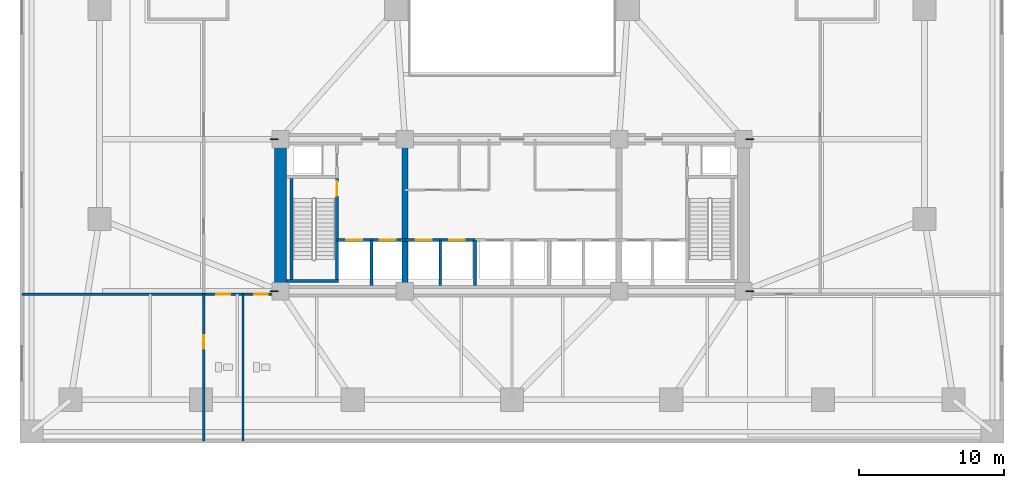
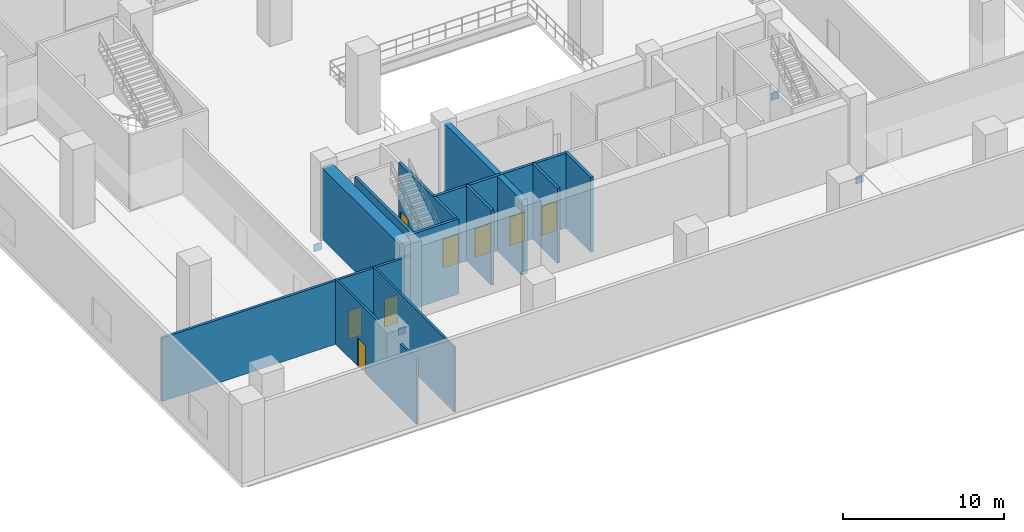
# One storey, part 6 of 16: 13 walls, 8 doors, 4 plates, 8 openings.
"""IFC4 building model written with IfcOpenShell, lengths in metres."""

from ifc_helpers import new_model, si_unit, direction, frame, frame_2d, origin, origin_2d, place, context, subcontext, project, spatial, rectangle, extrude, material, layer, layer_set, type_object, element, fill, save


model = new_model("IFC4")

# Units and contexts
model_context = context("Model", 3, precision=1e-05, world=origin(), true_north=direction((0.0, 1.0)))
body_context = subcontext(model_context, "Body", "Model", "MODEL_VIEW")
ifc_project = project(units=[si_unit("LENGTHUNIT", "METRE"), si_unit("AREAUNIT", "SQUARE_METRE"), si_unit("VOLUMEUNIT", "CUBIC_METRE"), si_unit("PLANEANGLEUNIT", "RADIAN"), si_unit("MASSUNIT", "GRAM", prefix="KILO")], contexts=[model_context])

# Site, building, storey
site_placement = place(None, origin())
site = spatial("IfcSite", under=ifc_project, at=site_placement, CompositionType="ELEMENT")
building_placement = place(site_placement, origin())
building = spatial("IfcBuilding", under=site, at=building_placement, Name="Solmavex Isthmus Hotel", CompositionType="ELEMENT")
storey_placement = place(building_placement, frame((0.0, 0.0, 5.39990234375)))
storey = spatial("IfcBuildingStorey", under=building, at=storey_placement, Name="L02", CompositionType="ELEMENT", Elevation=5.39990234375)

# Plates
ifc_material_1 = material(Name="Steel ASTM A572 Grade 50", Category="steel")
ifc_layer_1 = layer(ifc_material_1, 0.06005859375)
ifc_layer_set_1 = layer_set([ifc_layer_1], Name="Steel ASTM A572 Grade 50")
plate_type = type_object("IfcPlateType", Name="PLT-EMBED-60", PredefinedType="USERDEFINED", material=ifc_layer_set_1)
for number, where, z_axis, x_axis, name in (
    (1, (-16.43603515625, -2.5, -1.15478515625), (0.0, 0.0, 1.0), (1.0, 0.0, 0.0), "Outrigger Strut Core Cast-In Embedment Stiffener Plate 007"),
    (2, (16.43603515625, -2.5, -1.15478515625), (0.0, 0.0, 1.0), (1.0, 0.0, 0.0), "Outrigger Strut Core Cast-In Embedment Stiffener Plate 008"),
    (3, (-16.43603515625, -13.0, -1.15478515625), (0.0, 0.0, 1.0), (1.0, 0.0, 0.0), "Outrigger Strut Core Cast-In Embedment Stiffener Plate 009"),
    (4, (16.43603515625, -13.0, -1.15478515625), (0.0, 0.0, 1.0), (1.0, 0.0, 0.0), "Outrigger Strut Core Cast-In Embedment Stiffener Plate 010"),
):
    element("IfcPlate", number, at=place(storey_placement, frame(where, z_axis=z_axis, x_axis=x_axis)), inside=storey, type_object=plate_type, Name=name, ObjectType="STIFFENER_PLATE", PredefinedType="USERDEFINED", context=body_context, shape_type="SweptSolid", body=[
        extrude(rectangle(XDim=0.550048828125, YDim=0.06005859375, at=origin_2d()), origin(), (0.0, 0.0, 1.0), 0.550048828125),
    ])

# Wall, opening, door
ifc_material_2 = material(Name="Gypsum plasterboard lining", Category="gypsum")
ifc_layer_2 = layer(ifc_material_2, 0.14990234375)
ifc_layer_set_2 = layer_set([ifc_layer_2], Name="Gypsum plasterboard lining")
wall_type_1 = type_object("IfcWallType", Name="IW-CORR-150", PredefinedType="PARTITIONING", material=ifc_layer_set_2)
wall_1_placement = place(storey_placement, frame((-21.300048828125, -23.360107421875, 0.0), z_axis=(0.0, 0.0, 1.0), x_axis=(0.0, 1.0, 0.0)))
wall_1 = element("IfcWall", 5, at=wall_1_placement, inside=storey, type_object=wall_type_1, Name="Interior Partition Wall W-L02-SOUTH-WM", PredefinedType="PARTITIONING", context=body_context, shape_type="SweptSolid", body=[
    extrude(rectangle(XDim=10.16015625, YDim=0.14990234375, at=frame_2d((5.080078125, 0.0))), origin(), (0.0, 0.0, 1.0), 4.911865234375),
])
opening_1_placement = place(wall_1_placement, frame((6.385009765625, 0.0, 0.0)))
opening_1 = element("IfcOpeningElement", 6, at=opening_1_placement, cuts=wall_1, Name="Opening ID-C095", PredefinedType="OPENING", context=body_context, shape_type="SweptSolid", body=[
    extrude(rectangle(XDim=0.949951171875, YDim=2.14990234375, at=frame_2d((0.47509765625, 1.074951171875))), frame((0.0, 0.0849609375, 0.0), z_axis=(0.0, -1.0, 0.0), x_axis=(1.0, 0.0, 0.0)), (0.0, 0.0, 1.0), 0.169921875),
])
ifc_material_3 = material(Name="Hardwood timber", Category="wood")
door_type_1 = type_object("IfcDoorType", Name="IDR-FD60-0950", OperationType="NOTDEFINED", PredefinedType="DOOR", material=ifc_material_3)
door_1_placement = place(opening_1_placement, origin())
door_1 = element("IfcDoor", 7, at=door_1_placement, inside=storey, type_object=door_type_1, Name="Linen Store Door L02", OperationType="SINGLE_SWING_LEFT", OverallHeight=2.14990234375, OverallWidth=0.949951171875, PredefinedType="DOOR", context=body_context, shape_type="SweptSolid", body=[
    extrude(rectangle(XDim=0.949951171875, YDim=2.14990234375, at=frame_2d((0.47509765625, 1.074951171875))), frame((0.0, 0.02490234375, 0.0), z_axis=(0.0, -1.0, 0.0), x_axis=(1.0, 0.0, 0.0)), (0.0, 0.0, 1.0), 0.050048828125),
])
fill(opening_1, door_1)

# Walls
wall_2_placement = place(storey_placement, frame((-18.60009765625, -23.360107421875, 0.0), z_axis=(0.0, 0.0, 1.0), x_axis=(0.0, 1.0, 0.0)))
element("IfcWall", 8, at=wall_2_placement, inside=storey, type_object=wall_type_1, Name="Interior Partition Wall W-L02-SOUTH-WM2", PredefinedType="PARTITIONING", context=body_context, shape_type="SweptSolid", body=[
    extrude(rectangle(XDim=10.16015625, YDim=0.14990234375, at=frame_2d((5.080078125, 0.0))), origin(), (0.0, 0.0, 1.0), 4.911865234375),
])
ifc_material_4 = material(Name="Concrete C40/50", Category="concrete")
ifc_layer_3 = layer(ifc_material_4, 0.179931640625)
ifc_layer_set_3 = layer_set([ifc_layer_3], Name="Concrete C40/50")
wall_type_2 = type_object("IfcWallType", Name="IW-SHAFT-180", PredefinedType="PARTITIONING", material=ifc_layer_set_3)
wall_3_placement = place(storey_placement, frame((-4.949951171875, -12.60009765625, 0.0), z_axis=(0.0, 0.0, 1.0), x_axis=(0.0, 1.0, 0.0)))
element("IfcWall", 9, at=wall_3_placement, inside=storey, type_object=wall_type_2, Name="Interior Partition Wall W-L02-SH-PLL-M", PredefinedType="PARTITIONING", context=body_context, shape_type="SweptSolid", body=[
    extrude(rectangle(XDim=3.150146484375, YDim=0.179931640625, at=frame_2d((1.5751953125, 0.0))), origin(), (0.0, 0.0, 1.0), 5.7001953125),
])

# Wall, openings, doors
wall_4_placement = place(storey_placement, frame((-33.860107421875, -13.199951171875, 0.0), z_axis=(0.0, 0.0, 1.0), x_axis=(1.0, 0.0, 0.0)))
wall_4 = element("IfcWall", 10, at=wall_4_placement, inside=storey, type_object=wall_type_2, Name="Interior Partition Wall W-L02-SOUTH-W", PredefinedType="PARTITIONING", context=body_context, shape_type="SweptSolid", body=[
    extrude(rectangle(XDim=17.860107421875, YDim=0.179931640625, at=frame_2d((8.93017578125, 0.0))), origin(), (0.0, 0.0, 1.0), 4.82958984375),
])
opening_2_placement = place(wall_4_placement, frame((13.43505859375, 0.0, 0.0)))
opening_2 = element("IfcOpeningElement", 11, at=opening_2_placement, cuts=wall_4, Name="Opening ID-C095", PredefinedType="OPENING", context=body_context, shape_type="SweptSolid", body=[
    extrude(rectangle(XDim=0.949951171875, YDim=2.14990234375, at=frame_2d((0.47509765625, 1.074951171875))), frame((0.0, 0.099853515625, 0.0), z_axis=(0.0, -1.0, 0.0), x_axis=(1.0, 0.0, 0.0)), (0.0, 0.0, 1.0), 0.199951171875),
])
opening_3_placement = place(wall_4_placement, frame((16.034912109375, 0.0, 0.0)))
opening_3 = element("IfcOpeningElement", 12, at=opening_3_placement, cuts=wall_4, Name="Opening ID-C095", PredefinedType="OPENING", context=body_context, shape_type="SweptSolid", body=[
    extrude(rectangle(XDim=0.949951171875, YDim=2.14990234375, at=frame_2d((0.47509765625, 1.074951171875))), frame((0.0, 0.099853515625, 0.0), z_axis=(0.0, -1.0, 0.0), x_axis=(1.0, 0.0, 0.0)), (0.0, 0.0, 1.0), 0.199951171875),
])
door_2_placement = place(opening_2_placement, frame((0.949951171875, 0.0, 0.0), z_axis=(0.0, 0.0, 1.0), x_axis=(-1.0, 0.0, 0.0)))
door_2 = element("IfcDoor", 13, at=door_2_placement, inside=storey, type_object=door_type_1, Name="Restroom Door L02", OperationType="SINGLE_SWING_LEFT", OverallHeight=2.14990234375, OverallWidth=0.949951171875, PredefinedType="DOOR", context=body_context, shape_type="SweptSolid", body=[
    extrude(rectangle(XDim=0.949951171875, YDim=2.14990234375, at=frame_2d((0.47509765625, 1.074951171875))), frame((0.0, 0.02490234375, 0.0), z_axis=(0.0, -1.0, 0.0), x_axis=(1.0, 0.0, 0.0)), (0.0, 0.0, 1.0), 0.050048828125),
])
fill(opening_2, door_2)
door_3_placement = place(opening_3_placement, frame((0.949951171875, 0.0, 0.0), z_axis=(0.0, 0.0, 1.0), x_axis=(-1.0, 0.0, 0.0)))
door_3 = element("IfcDoor", 14, at=door_3_placement, inside=storey, type_object=door_type_1, Name="Accessible WC Door L02", OperationType="SINGLE_SWING_RIGHT", OverallHeight=2.14990234375, OverallWidth=0.949951171875, PredefinedType="DOOR", context=body_context, shape_type="SweptSolid", body=[
    extrude(rectangle(XDim=0.949951171875, YDim=2.14990234375, at=frame_2d((0.47509765625, 1.074951171875))), frame((0.0, 0.02490234375, 0.0), z_axis=(0.0, -1.0, 0.0), x_axis=(1.0, 0.0, 0.0)), (0.0, 0.0, 1.0), 0.050048828125),
])
fill(opening_3, door_3)

ifc_layer_4 = layer(ifc_material_4, 0.199951171875)
ifc_layer_set_4 = layer_set([ifc_layer_4], Name="Concrete C40/50")
wall_type_3 = type_object("IfcWallType", Name="IW-SHAFT-200", PredefinedType="PARTITIONING", material=ifc_layer_set_4)
wall_5_placement = place(storey_placement, frame((-12.10009765625, -9.449951171875, 0.0), z_axis=(0.0, 0.0, 1.0), x_axis=(1.0, 0.0, 0.0)))
wall_5 = element("IfcWall", 15, at=wall_5_placement, inside=storey, type_object=wall_type_3, Name="Interior Partition Wall W-L02-FFLW-S", PredefinedType="PARTITIONING", context=body_context, shape_type="SweptSolid", body=[
    extrude(rectangle(XDim=4.7001953125, YDim=0.199951171875, at=frame_2d((2.35009765625, 0.0))), origin(), (0.0, 0.0, 1.0), 5.7001953125),
])
opening_4_placement = place(wall_5_placement, frame((0.64990234375, 0.0, 0.0)))
opening_4 = element("IfcOpeningElement", 16, at=opening_4_placement, cuts=wall_5, Name="Opening LD-FF", PredefinedType="OPENING", context=body_context, shape_type="SweptSolid", body=[
    extrude(rectangle(XDim=1.10009765625, YDim=2.199951171875, at=frame_2d((0.550048828125, 1.10009765625))), frame((0.0, 0.10986328125, 0.0), z_axis=(0.0, -1.0, 0.0), x_axis=(1.0, 0.0, 0.0)), (0.0, 0.0, 1.0), 0.219970703125),
])
opening_5_placement = place(wall_5_placement, frame((2.949951171875, 0.0, 0.0)))
opening_5 = element("IfcOpeningElement", 17, at=opening_5_placement, cuts=wall_5, Name="Opening LD-SV", PredefinedType="OPENING", context=body_context, shape_type="SweptSolid", body=[
    extrude(rectangle(XDim=1.10009765625, YDim=2.199951171875, at=frame_2d((0.550048828125, 1.10009765625))), frame((0.0, 0.10986328125, 0.0), z_axis=(0.0, -1.0, 0.0), x_axis=(1.0, 0.0, 0.0)), (0.0, 0.0, 1.0), 0.219970703125),
])
ifc_material_5 = material(Name="Stainless steel 316", Category="steel")
door_type_2 = type_object("IfcDoorType", Name="LDR-FF-1100", OperationType="NOTDEFINED", PredefinedType="DOOR", material=ifc_material_5)
door_4_placement = place(opening_4_placement, origin())
door_4 = element("IfcDoor", 18, at=door_4_placement, inside=storey, type_object=door_type_2, Name="Lift Landing Door FFL-1 L02", OperationType="SLIDING_TO_LEFT", OverallHeight=2.199951171875, OverallWidth=1.10009765625, PredefinedType="DOOR", context=body_context, shape_type="SweptSolid", body=[
    extrude(rectangle(XDim=1.10009765625, YDim=2.199951171875, at=frame_2d((0.550048828125, 1.10009765625))), frame((0.0, 0.02490234375, 0.0), z_axis=(0.0, -1.0, 0.0), x_axis=(1.0, 0.0, 0.0)), (0.0, 0.0, 1.0), 0.050048828125),
])
fill(opening_4, door_4)
door_type_3 = type_object("IfcDoorType", Name="LDR-SV-1100", OperationType="NOTDEFINED", PredefinedType="DOOR", material=ifc_material_5)
door_5_placement = place(opening_5_placement, origin())
door_5 = element("IfcDoor", 19, at=door_5_placement, inside=storey, type_object=door_type_3, Name="Lift Landing Door SVL-1 L02", OperationType="SLIDING_TO_RIGHT", OverallHeight=2.199951171875, OverallWidth=1.10009765625, PredefinedType="DOOR", context=body_context, shape_type="SweptSolid", body=[
    extrude(rectangle(XDim=1.10009765625, YDim=2.199951171875, at=frame_2d((0.550048828125, 1.10009765625))), frame((0.0, 0.02490234375, 0.0), z_axis=(0.0, -1.0, 0.0), x_axis=(1.0, 0.0, 0.0)), (0.0, 0.0, 1.0), 0.050048828125),
])
fill(opening_5, door_5)

# Wall
wall_6_placement = place(storey_placement, frame((-9.699951171875, -12.60009765625, 0.0), z_axis=(0.0, 0.0, 1.0), x_axis=(0.0, 1.0, 0.0)))
element("IfcWall", 20, at=wall_6_placement, inside=storey, type_object=wall_type_3, Name="Interior Partition Wall W-L02-FFLW-M", PredefinedType="PARTITIONING", context=body_context, shape_type="SweptSolid", body=[
    extrude(rectangle(XDim=3.150146484375, YDim=0.199951171875, at=frame_2d((1.5751953125, 0.0))), origin(), (0.0, 0.0, 1.0), 5.7001953125),
])

# Wall, openings, doors
wall_7_placement = place(storey_placement, frame((-7.39990234375, -9.449951171875, 0.0), z_axis=(0.0, 0.0, 1.0), x_axis=(1.0, 0.0, 0.0)))
wall_7 = element("IfcWall", 21, at=wall_7_placement, inside=storey, type_object=wall_type_3, Name="Interior Partition Wall W-L02-SH-PLL", PredefinedType="PARTITIONING", context=body_context, shape_type="SweptSolid", body=[
    extrude(rectangle(XDim=4.849853515625, YDim=0.199951171875, at=frame_2d((2.4248046875, 0.0))), origin(), (0.0, 0.0, 1.0), 5.7001953125),
])
opening_6_placement = place(wall_7_placement, frame((0.75, 0.0, 0.0)))
opening_6 = element("IfcOpeningElement", 22, at=opening_6_placement, cuts=wall_7, Name="Opening LD-PL", PredefinedType="OPENING", context=body_context, shape_type="SweptSolid", body=[
    extrude(rectangle(XDim=1.10009765625, YDim=2.199951171875, at=frame_2d((0.550048828125, 1.10009765625))), frame((0.0, 0.10986328125, 0.0), z_axis=(0.0, -1.0, 0.0), x_axis=(1.0, 0.0, 0.0)), (0.0, 0.0, 1.0), 0.219970703125),
])
opening_7_placement = place(wall_7_placement, frame((3.050048828125, 0.0, 0.0)))
opening_7 = element("IfcOpeningElement", 23, at=opening_7_placement, cuts=wall_7, Name="Opening LD-PL", PredefinedType="OPENING", context=body_context, shape_type="SweptSolid", body=[
    extrude(rectangle(XDim=1.10009765625, YDim=2.199951171875, at=frame_2d((0.550048828125, 1.10009765625))), frame((0.0, 0.10986328125, 0.0), z_axis=(0.0, -1.0, 0.0), x_axis=(1.0, 0.0, 0.0)), (0.0, 0.0, 1.0), 0.219970703125),
])
door_type_4 = type_object("IfcDoorType", Name="LDR-PL-1100", OperationType="NOTDEFINED", PredefinedType="DOOR", material=ifc_material_5)
door_6_placement = place(opening_6_placement, origin())
door_6 = element("IfcDoor", 24, at=door_6_placement, inside=storey, type_object=door_type_4, Name="Lift Landing Door PLL1 L02", OperationType="SLIDING_TO_LEFT", OverallHeight=2.199951171875, OverallWidth=1.10009765625, PredefinedType="DOOR", context=body_context, shape_type="SweptSolid", body=[
    extrude(rectangle(XDim=1.10009765625, YDim=2.199951171875, at=frame_2d((0.550048828125, 1.10009765625))), frame((0.0, 0.02490234375, 0.0), z_axis=(0.0, -1.0, 0.0), x_axis=(1.0, 0.0, 0.0)), (0.0, 0.0, 1.0), 0.050048828125),
])
fill(opening_6, door_6)
door_7_placement = place(opening_7_placement, origin())
door_7 = element("IfcDoor", 25, at=door_7_placement, inside=storey, type_object=door_type_4, Name="Lift Landing Door PLL2 L02", OperationType="SLIDING_TO_LEFT", OverallHeight=2.199951171875, OverallWidth=1.10009765625, PredefinedType="DOOR", context=body_context, shape_type="SweptSolid", body=[
    extrude(rectangle(XDim=1.10009765625, YDim=2.199951171875, at=frame_2d((0.550048828125, 1.10009765625))), frame((0.0, 0.02490234375, 0.0), z_axis=(0.0, -1.0, 0.0), x_axis=(1.0, 0.0, 0.0)), (0.0, 0.0, 1.0), 0.050048828125),
])
fill(opening_7, door_7)

# Walls
wall_8_placement = place(storey_placement, frame((-2.550048828125, -12.60009765625, 0.0), z_axis=(0.0, 0.0, 1.0), x_axis=(0.0, 1.0, 0.0)))
element("IfcWall", 26, at=wall_8_placement, inside=storey, type_object=wall_type_3, Name="Interior Partition Wall W-L02-SH-PLL-E", PredefinedType="PARTITIONING", context=body_context, shape_type="SweptSolid", body=[
    extrude(rectangle(XDim=3.150146484375, YDim=0.199951171875, at=frame_2d((1.5751953125, 0.0))), origin(), (0.0, 0.0, 1.0), 5.7001953125),
])
ifc_material_6 = material(Name="Concrete C70/85", Category="concrete")
ifc_layer_5 = layer(ifc_material_6, 0.39990234375)
ifc_layer_set_5 = layer_set([ifc_layer_5], Name="Concrete C70/85")
wall_type_4 = type_object("IfcWallType", Name="WALL-CW-400L", PredefinedType="SHEAR", material=ifc_layer_set_5)
wall_9_placement = place(storey_placement, frame((-7.39990234375, -12.60009765625, 0.0), z_axis=(0.0, 0.0, 1.0), x_axis=(0.0, 1.0, 0.0)))
element("IfcWall", 27, at=wall_9_placement, inside=storey, type_object=wall_type_4, Name="Core Cross Shear Wall C1 L02", PredefinedType="SHEAR", context=body_context, shape_type="SweptSolid", body=[
    extrude(rectangle(XDim=9.7001953125, YDim=0.39990234375, at=frame_2d((4.85009765625, 0.0))), origin(), (0.0, 0.0, 1.0), 5.7001953125),
])
ifc_layer_6 = layer(ifc_material_6, 0.800048828125)
ifc_layer_set_6 = layer_set([ifc_layer_6], Name="Concrete C70/85")
wall_type_5 = type_object("IfcWallType", Name="WALL-CW-800", PredefinedType="SHEAR", material=ifc_layer_set_6)
wall_10_placement = place(storey_placement, frame((-16.0, -12.60009765625, 0.0), z_axis=(0.0, 0.0, 1.0), x_axis=(0.0, 1.0, 0.0)))
element("IfcWall", 28, at=wall_10_placement, inside=storey, type_object=wall_type_5, Name="Core Shear Wall West L02", PredefinedType="SHEAR", context=body_context, shape_type="SweptSolid", body=[
    extrude(rectangle(XDim=9.7001953125, YDim=0.800048828125, at=frame_2d((4.85009765625, 0.0))), origin(), (0.0, 0.0, 1.0), 5.420166015625),
])
ifc_layer_7 = layer(ifc_material_4, 0.199951171875)
ifc_layer_set_7 = layer_set([ifc_layer_7], Name="Concrete C40/50")
wall_type_6 = type_object("IfcWallType", Name="WALL-SW-200", PredefinedType="SOLIDWALL", material=ifc_layer_set_7)
wall_11_placement = place(storey_placement, frame((-15.60009765625, -12.300048828125, 0.0), z_axis=(0.0, 0.0, 1.0), x_axis=(1.0, 0.0, 0.0)))
element("IfcWall", 29, at=wall_11_placement, inside=storey, type_object=wall_type_6, Name="Stairwell Structural Wall SW-L02-ST1-S", PredefinedType="SOLIDWALL", context=body_context, shape_type="SweptSolid", body=[
    extrude(rectangle(XDim=3.60009765625, YDim=0.199951171875, at=frame_2d((1.800048828125, 0.0))), origin(), (0.0, 0.0, 1.0), 5.7001953125),
])
wall_12_placement = place(storey_placement, frame((-15.25, -12.199951171875, 0.0), z_axis=(0.0, 0.0, 1.0), x_axis=(0.0, 1.0, 0.0)))
element("IfcWall", 30, at=wall_12_placement, inside=storey, type_object=wall_type_6, Name="Stairwell Structural Wall SW-L02-ST1-W", PredefinedType="SOLIDWALL", context=body_context, shape_type="SweptSolid", body=[
    extrude(rectangle(XDim=7.0, YDim=0.199951171875, at=frame_2d((3.5, 0.0))), origin(), (0.0, 0.0, 1.0), 5.7001953125),
])

# Wall, opening, door
wall_13_placement = place(storey_placement, frame((-12.10009765625, -12.199951171875, 0.0), z_axis=(0.0, 0.0, 1.0), x_axis=(0.0, 1.0, 0.0)))
wall_13 = element("IfcWall", 31, at=wall_13_placement, inside=storey, type_object=wall_type_6, Name="Stairwell Structural Wall SW-L02-ST1-E", PredefinedType="SOLIDWALL", context=body_context, shape_type="SweptSolid", body=[
    extrude(rectangle(XDim=7.0, YDim=0.199951171875, at=frame_2d((3.5, 0.0))), origin(), (0.0, 0.0, 1.0), 5.7001953125),
])
opening_8_placement = place(wall_13_placement, frame((5.800048828125, 0.0, 0.0)))
opening_8 = element("IfcOpeningElement", 32, at=opening_8_placement, cuts=wall_13, Name="Opening ID-F100", PredefinedType="OPENING", context=body_context, shape_type="SweptSolid", body=[
    extrude(rectangle(XDim=1.0, YDim=2.10009765625, at=frame_2d((0.5, 1.050048828125))), frame((0.0, 0.10986328125, 0.0), z_axis=(0.0, -1.0, 0.0), x_axis=(1.0, 0.0, 0.0)), (0.0, 0.0, 1.0), 0.219970703125),
])
ifc_material_7 = material(Name="Steel ASTM A500 Grade C", Category="steel")
door_type_5 = type_object("IfcDoorType", Name="IDR-FD90-1000", OperationType="NOTDEFINED", PredefinedType="DOOR", material=ifc_material_7)
door_8_placement = place(opening_8_placement, frame((1.0, 0.0, 0.0), z_axis=(0.0, 0.0, 1.0), x_axis=(-1.0, 0.0, 0.0)))
door_8 = element("IfcDoor", 33, at=door_8_placement, inside=storey, type_object=door_type_5, Name="Stair ST-1 Fire Door L02", OperationType="SINGLE_SWING_LEFT", OverallHeight=2.10009765625, OverallWidth=1.0, PredefinedType="DOOR", context=body_context, shape_type="SweptSolid", body=[
    extrude(rectangle(XDim=1.0, YDim=2.10009765625, at=frame_2d((0.5, 1.050048828125))), frame((0.0, 0.02490234375, 0.0), z_axis=(0.0, -1.0, 0.0), x_axis=(1.0, 0.0, 0.0)), (0.0, 0.0, 1.0), 0.050048828125),
])
fill(opening_8, door_8)

save(model, "model.ifc")
